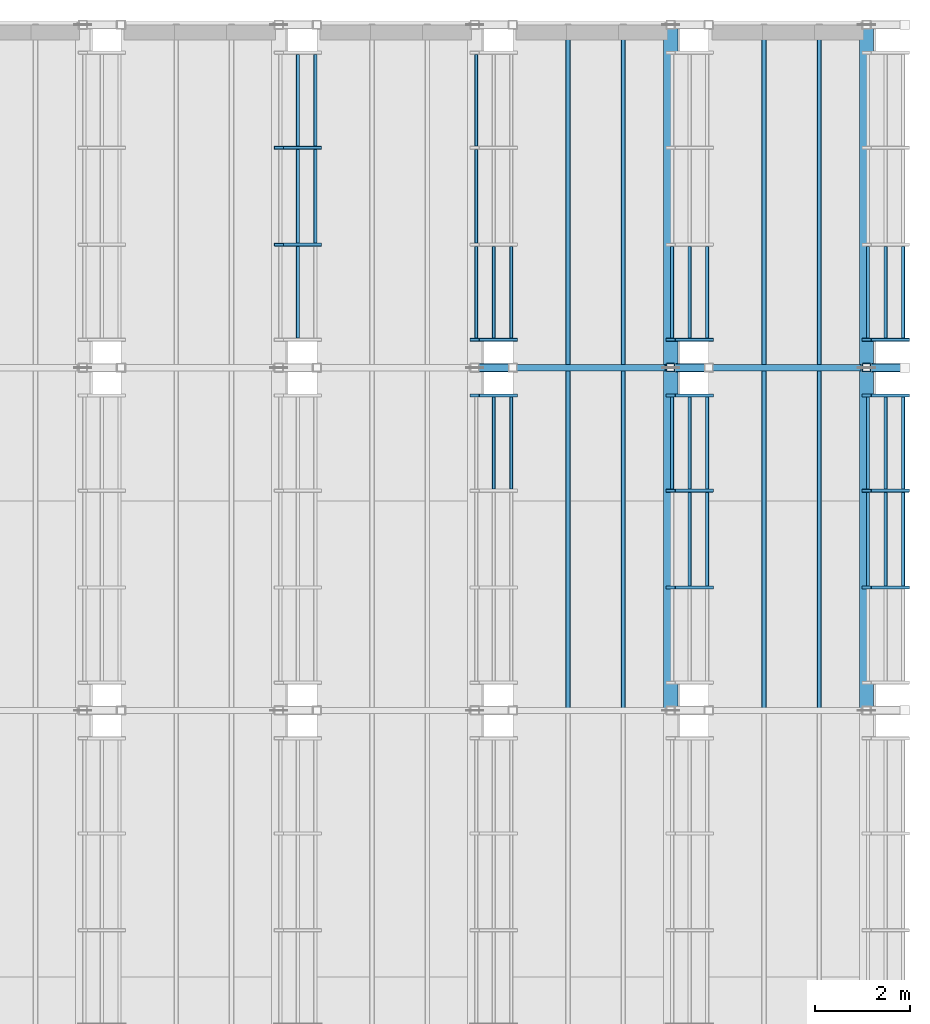
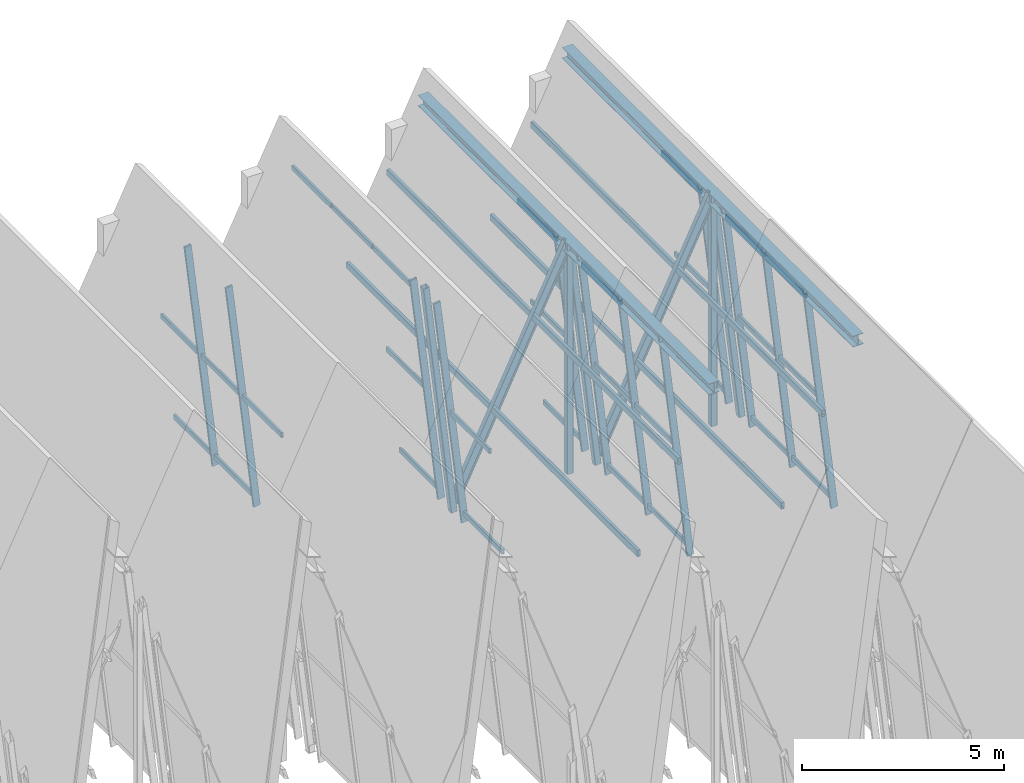
# One storey, part 9 of 28: 52 members, 2 beams, 7 elements without a shape of their own.
"""IFC4 building model written with IfcOpenShell, lengths in metres."""

from ifc_helpers import new_model, si_unit, direction, frame, origin, origin_2d, place, context, subcontext, project, spatial, hollow_rectangle, i_section, extrude, material, material_profile, profile_set, type_object, element, aggregate, save


model = new_model("IFC4")

# Units and contexts
model_context = context("Model", 3, precision=1e-05, world=origin(), true_north=direction((0.0, 1.0)))
body_context = subcontext(model_context, "Body", "Model", "MODEL_VIEW")
ifc_project = project(units=[si_unit("LENGTHUNIT", "METRE"), si_unit("AREAUNIT", "SQUARE_METRE"), si_unit("VOLUMEUNIT", "CUBIC_METRE"), si_unit("PLANEANGLEUNIT", "RADIAN"), si_unit("MASSUNIT", "GRAM", prefix="KILO")], contexts=[model_context])

# Site, building, storey
site_placement = place(None, origin())
site = spatial("IfcSite", under=ifc_project, at=site_placement, CompositionType="ELEMENT")
building_placement = place(site_placement, origin())
building = spatial("IfcBuilding", under=site, at=building_placement, Name="Bramveld Media Centre", CompositionType="ELEMENT")
storey_placement = place(building_placement, frame((0.0, 0.0, 33.89990234375)))
storey = spatial("IfcBuildingStorey", under=building, at=storey_placement, Name="ROOF", CompositionType="ELEMENT", Elevation=33.89990234375)

# Curtain wall, members
ifc_material_1 = material(Name="Thermally broken anodized bronze aluminium unitized curtain wall with solar-control triple glazing", Category="aluminium")
curtain_wall_type = type_object("IfcCurtainWallType", Name="CW-CRN-6100x6941", PredefinedType="NOTDEFINED", material=ifc_material_1)
curtain_wall_1_placement = place(storey_placement, origin())
curtain_wall_1 = element("IfcCurtainWall", 1, at=curtain_wall_1_placement, inside=storey, type_object=curtain_wall_type, Name="V7 crown clerestory B4-S4", PredefinedType="NOTDEFINED")
ifc_material_2 = material(Name="Thermally broken anodized bronze aluminium EN AW-6063 T6 curtain-wall framing", Category="aluminium")
ifc_material_profile_1 = material_profile(ifc_material_2, hollow_rectangle(XDim=0.070068359375, YDim=0.199951171875, WallThickness=0.00439453125, InnerFilletRadius=0.00439453125, OuterFilletRadius=0.009033203125, at=origin_2d()), Name="AL-MULL 70x200")
ifc_profile_set_1 = profile_set([ifc_material_profile_1], Name="Thermally broken anodized bronze aluminium EN AW-6063 T6 curtain-wall framing")
member_type_1 = type_object("IfcMemberType", Name="CW-MULL-SLP", PredefinedType="MULLION", material=ifc_profile_set_1)
member_1_placement = place(storey_placement, frame((147.656982421875, 107.38330078125, -0.02001953125), z_axis=(-0.115228868081, 0.0, 0.993338969315), x_axis=(0.0, -1.0, 0.0)))
member_1 = element("IfcMember", 2, at=member_1_placement, type_object=member_type_1, Name="CW-CR-6169 sloped mullion 2", PredefinedType="MULLION", context=body_context, shape_type="SweptSolid", body=[
    extrude(hollow_rectangle(XDim=0.070068359375, YDim=0.199951171875, WallThickness=0.00439453125, InnerFilletRadius=0.00439453125, OuterFilletRadius=0.009033203125, at=origin_2d()), origin(), (0.0, 0.0, 1.0), 6.94091796875),
])
member_2_placement = place(storey_placement, frame((147.656982421875, 109.416748046875, -0.02001953125), z_axis=(-0.115228868081, 0.0, 0.993338969315), x_axis=(0.0, -1.0, 0.0)))
member_2 = element("IfcMember", 3, at=member_2_placement, type_object=member_type_1, Name="CW-CR-6169 sloped mullion 3", PredefinedType="MULLION", context=body_context, shape_type="SweptSolid", body=[
    extrude(hollow_rectangle(XDim=0.070068359375, YDim=0.199951171875, WallThickness=0.00439453125, InnerFilletRadius=0.00439453125, OuterFilletRadius=0.009033203125, at=origin_2d()), origin(), (0.0, 0.0, 1.0), 6.94091796875),
])

# Curtain wall, member
curtain_wall_2_placement = place(storey_placement, origin())
curtain_wall_2 = element("IfcCurtainWall", 4, at=curtain_wall_2_placement, inside=storey, type_object=curtain_wall_type, Name="V7 crown clerestory B5-S3", PredefinedType="NOTDEFINED")
member_3_placement = place(storey_placement, frame((151.771484375, 104.215087890625, -0.02001953125), z_axis=(-0.115263574492, 0.0, 0.993334942703), x_axis=(0.0, -1.0, 0.0)))
member_3 = element("IfcMember", 5, at=member_3_placement, type_object=member_type_1, Name="CW-CR-6169 sloped mullion 4", PredefinedType="MULLION", context=body_context, shape_type="SweptSolid", body=[
    extrude(hollow_rectangle(XDim=0.070068359375, YDim=0.199951171875, WallThickness=0.00439453125, InnerFilletRadius=0.00439453125, OuterFilletRadius=0.009033203125, at=origin_2d()), origin(), (0.0, 0.0, 1.0), 6.94091796875),
])

curtain_wall_3_placement = place(storey_placement, origin())
curtain_wall_3 = element("IfcCurtainWall", 6, at=curtain_wall_3_placement, inside=storey, type_object=curtain_wall_type, Name="V7 crown clerestory B5-S4", PredefinedType="NOTDEFINED")
member_4_placement = place(storey_placement, frame((151.771484375, 105.385009765625, -0.02001953125), z_axis=(-0.115263574492, 0.0, 0.993334942703), x_axis=(0.0, -1.0, 0.0)))
member_4 = element("IfcMember", 7, at=member_4_placement, type_object=member_type_1, Name="CW-CR-6169 sloped mullion 1", PredefinedType="MULLION", context=body_context, shape_type="SweptSolid", body=[
    extrude(hollow_rectangle(XDim=0.070068359375, YDim=0.199951171875, WallThickness=0.00439453125, InnerFilletRadius=0.00439453125, OuterFilletRadius=0.009033203125, at=origin_2d()), origin(), (0.0, 0.0, 1.0), 6.94091796875),
])

# Curtain wall, members
curtain_wall_4_placement = place(storey_placement, origin())
curtain_wall_4 = element("IfcCurtainWall", 8, at=curtain_wall_4_placement, inside=storey, type_object=curtain_wall_type, Name="V7 crown clerestory B6-S3", PredefinedType="NOTDEFINED")
member_5_placement = place(storey_placement, frame((155.8857421875, 100.183349609375, -0.02001953125), z_axis=(-0.115263574492, 0.0, 0.993334942703), x_axis=(0.0, -1.0, 0.0)))
member_5 = element("IfcMember", 9, at=member_5_placement, type_object=member_type_1, Name="CW-CR-6169 sloped mullion 2", PredefinedType="MULLION", context=body_context, shape_type="SweptSolid", body=[
    extrude(hollow_rectangle(XDim=0.070068359375, YDim=0.199951171875, WallThickness=0.00439453125, InnerFilletRadius=0.00439453125, OuterFilletRadius=0.009033203125, at=origin_2d()), origin(), (0.0, 0.0, 1.0), 6.94091796875),
])
member_6_placement = place(storey_placement, frame((155.8857421875, 102.216796875, -0.02001953125), z_axis=(-0.115263574492, 0.0, 0.993334942703), x_axis=(0.0, -1.0, 0.0)))
member_6 = element("IfcMember", 10, at=member_6_placement, type_object=member_type_1, Name="CW-CR-6169 sloped mullion 3", PredefinedType="MULLION", context=body_context, shape_type="SweptSolid", body=[
    extrude(hollow_rectangle(XDim=0.070068359375, YDim=0.199951171875, WallThickness=0.00439453125, InnerFilletRadius=0.00439453125, OuterFilletRadius=0.009033203125, at=origin_2d()), origin(), (0.0, 0.0, 1.0), 6.94091796875),
])
member_7_placement = place(storey_placement, frame((155.8857421875, 104.215087890625, -0.02001953125), z_axis=(-0.115263574492, 0.0, 0.993334942703), x_axis=(0.0, -1.0, 0.0)))
member_7 = element("IfcMember", 11, at=member_7_placement, type_object=member_type_1, Name="CW-CR-6169 sloped mullion 4", PredefinedType="MULLION", context=body_context, shape_type="SweptSolid", body=[
    extrude(hollow_rectangle(XDim=0.070068359375, YDim=0.199951171875, WallThickness=0.00439453125, InnerFilletRadius=0.00439453125, OuterFilletRadius=0.009033203125, at=origin_2d()), origin(), (0.0, 0.0, 1.0), 6.94091796875),
])

# Curtain wall, member
curtain_wall_5_placement = place(storey_placement, origin())
curtain_wall_5 = element("IfcCurtainWall", 12, at=curtain_wall_5_placement, inside=storey, type_object=curtain_wall_type, Name="V7 crown clerestory B6-S4", PredefinedType="NOTDEFINED")
member_8_placement = place(storey_placement, frame((155.8857421875, 105.385009765625, -0.02001953125), z_axis=(-0.115263574492, 0.0, 0.993334942703), x_axis=(0.0, -1.0, 0.0)))
member_8 = element("IfcMember", 13, at=member_8_placement, type_object=member_type_1, Name="CW-CR-6169 sloped mullion 1", PredefinedType="MULLION", context=body_context, shape_type="SweptSolid", body=[
    extrude(hollow_rectangle(XDim=0.070068359375, YDim=0.199951171875, WallThickness=0.00439453125, InnerFilletRadius=0.00439453125, OuterFilletRadius=0.009033203125, at=origin_2d()), origin(), (0.0, 0.0, 1.0), 6.94091796875),
])

# Curtain wall, members
curtain_wall_6_placement = place(storey_placement, origin())
curtain_wall_6 = element("IfcCurtainWall", 14, at=curtain_wall_6_placement, inside=storey, type_object=curtain_wall_type, Name="V7 crown clerestory B7-S3", PredefinedType="NOTDEFINED")
member_9_placement = place(storey_placement, frame((160.0, 100.183349609375, -0.02001953125), z_axis=(-0.115263574492, 0.0, 0.993334942703), x_axis=(0.0, -1.0, 0.0)))
member_9 = element("IfcMember", 15, at=member_9_placement, type_object=member_type_1, Name="CW-CR-6169 sloped mullion 2", PredefinedType="MULLION", context=body_context, shape_type="SweptSolid", body=[
    extrude(hollow_rectangle(XDim=0.070068359375, YDim=0.199951171875, WallThickness=0.00439453125, InnerFilletRadius=0.00439453125, OuterFilletRadius=0.009033203125, at=origin_2d()), origin(), (0.0, 0.0, 1.0), 6.94091796875),
])
member_10_placement = place(storey_placement, frame((160.0, 102.216796875, -0.02001953125), z_axis=(-0.115263574492, 0.0, 0.993334942703), x_axis=(0.0, -1.0, 0.0)))
member_10 = element("IfcMember", 16, at=member_10_placement, type_object=member_type_1, Name="CW-CR-6169 sloped mullion 3", PredefinedType="MULLION", context=body_context, shape_type="SweptSolid", body=[
    extrude(hollow_rectangle(XDim=0.070068359375, YDim=0.199951171875, WallThickness=0.00439453125, InnerFilletRadius=0.00439453125, OuterFilletRadius=0.009033203125, at=origin_2d()), origin(), (0.0, 0.0, 1.0), 6.94091796875),
])
member_11_placement = place(storey_placement, frame((160.0, 104.215087890625, -0.02001953125), z_axis=(-0.115263574492, 0.0, 0.993334942703), x_axis=(0.0, -1.0, 0.0)))
member_11 = element("IfcMember", 17, at=member_11_placement, type_object=member_type_1, Name="CW-CR-6169 sloped mullion 4", PredefinedType="MULLION", context=body_context, shape_type="SweptSolid", body=[
    extrude(hollow_rectangle(XDim=0.070068359375, YDim=0.199951171875, WallThickness=0.00439453125, InnerFilletRadius=0.00439453125, OuterFilletRadius=0.009033203125, at=origin_2d()), origin(), (0.0, 0.0, 1.0), 6.94091796875),
])

# Curtain wall, member
curtain_wall_7_placement = place(storey_placement, origin())
curtain_wall_7 = element("IfcCurtainWall", 18, at=curtain_wall_7_placement, inside=storey, type_object=curtain_wall_type, Name="V7 crown clerestory B7-S4", PredefinedType="NOTDEFINED")
member_12_placement = place(storey_placement, frame((160.0, 105.385009765625, -0.02001953125), z_axis=(-0.115263574492, 0.0, 0.993334942703), x_axis=(0.0, -1.0, 0.0)))
member_12 = element("IfcMember", 19, at=member_12_placement, type_object=member_type_1, Name="CW-CR-6169 sloped mullion 1", PredefinedType="MULLION", context=body_context, shape_type="SweptSolid", body=[
    extrude(hollow_rectangle(XDim=0.070068359375, YDim=0.199951171875, WallThickness=0.00439453125, InnerFilletRadius=0.00439453125, OuterFilletRadius=0.009033203125, at=origin_2d()), origin(), (0.0, 0.0, 1.0), 6.94091796875),
])

# Member
ifc_material_3 = material(Name="Thermally broken anodized bronze aluminium EN AW-6063 T6 curtain-wall framing", Category="aluminium")
ifc_material_profile_2 = material_profile(ifc_material_3, hollow_rectangle(XDim=0.070068359375, YDim=0.14990234375, WallThickness=0.00390625, InnerFilletRadius=0.00390625, OuterFilletRadius=0.008056640625, at=origin_2d()), Name="AL-TRAN 70x150")
ifc_profile_set_2 = profile_set([ifc_material_profile_2], Name="Thermally broken anodized bronze aluminium EN AW-6063 T6 curtain-wall framing")
member_type_2 = type_object("IfcMemberType", Name="CW-TRAN-SLP", PredefinedType="USERDEFINED", material=ifc_profile_set_2)
member_13_placement = place(storey_placement, frame((147.257080078125, 105.419921875, 3.427490234375), z_axis=(0.0, 1.0, 0.0), x_axis=(-1.0, 0.0, 0.0)))
member_13 = element("IfcMember", 20, at=member_13_placement, type_object=member_type_2, Name="CW-CR-6169 transom 1.2", ObjectType="TRANSOM", PredefinedType="USERDEFINED", context=body_context, shape_type="SweptSolid", body=[
    extrude(hollow_rectangle(XDim=0.070068359375, YDim=0.14990234375, WallThickness=0.00390625, InnerFilletRadius=0.00390625, OuterFilletRadius=0.008056640625, at=origin_2d()), origin(), (0.0, 0.0, 1.0), 1.928466796875),
])

member_14_placement = place(storey_placement, frame((147.625, 107.418212890625, 0.255859375), z_axis=(0.0, 1.0, 0.0), x_axis=(-1.0, 0.0, 0.0)))
member_14 = element("IfcMember", 21, at=member_14_placement, type_object=member_type_2, Name="CW-CR-6169 transom 2.1", ObjectType="TRANSOM", PredefinedType="USERDEFINED", context=body_context, shape_type="SweptSolid", body=[
    extrude(hollow_rectangle(XDim=0.070068359375, YDim=0.14990234375, WallThickness=0.00390625, InnerFilletRadius=0.00390625, OuterFilletRadius=0.008056640625, at=origin_2d()), origin(), (0.0, 0.0, 1.0), 1.96337890625),
])

member_15_placement = place(storey_placement, frame((147.257080078125, 107.418212890625, 3.427490234375), z_axis=(0.0, 1.0, 0.0), x_axis=(-1.0, 0.0, 0.0)))
member_15 = element("IfcMember", 22, at=member_15_placement, type_object=member_type_2, Name="CW-CR-6169 transom 2.2", ObjectType="TRANSOM", PredefinedType="USERDEFINED", context=body_context, shape_type="SweptSolid", body=[
    extrude(hollow_rectangle(XDim=0.070068359375, YDim=0.14990234375, WallThickness=0.00390625, InnerFilletRadius=0.00390625, OuterFilletRadius=0.008056640625, at=origin_2d()), origin(), (0.0, 0.0, 1.0), 1.96337890625),
])

member_16_placement = place(storey_placement, frame((147.625, 109.45166015625, 0.255859375), z_axis=(0.0, 1.0, 0.0), x_axis=(-1.0, 0.0, 0.0)))
member_16 = element("IfcMember", 23, at=member_16_placement, type_object=member_type_2, Name="CW-CR-6169 transom 3.1", ObjectType="TRANSOM", PredefinedType="USERDEFINED", context=body_context, shape_type="SweptSolid", body=[
    extrude(hollow_rectangle(XDim=0.070068359375, YDim=0.14990234375, WallThickness=0.00390625, InnerFilletRadius=0.00390625, OuterFilletRadius=0.008056640625, at=origin_2d()), origin(), (0.0, 0.0, 1.0), 1.92822265625),
])

member_17_placement = place(storey_placement, frame((147.257080078125, 109.45166015625, 3.427490234375), z_axis=(0.0, 1.0, 0.0), x_axis=(-1.0, 0.0, 0.0)))
member_17 = element("IfcMember", 24, at=member_17_placement, type_object=member_type_2, Name="CW-CR-6169 transom 3.2", ObjectType="TRANSOM", PredefinedType="USERDEFINED", context=body_context, shape_type="SweptSolid", body=[
    extrude(hollow_rectangle(XDim=0.070068359375, YDim=0.14990234375, WallThickness=0.00390625, InnerFilletRadius=0.00390625, OuterFilletRadius=0.008056640625, at=origin_2d()), origin(), (0.0, 0.0, 1.0), 1.92822265625),
])

aggregate(curtain_wall_1, [member_1, member_2, member_13, member_14, member_15, member_16, member_17])

member_18_placement = place(storey_placement, frame((151.739501953125, 102.251708984375, 0.255859375), z_axis=(0.0, 1.0, 0.0), x_axis=(-1.0, 0.0, 0.0)))
member_18 = element("IfcMember", 25, at=member_18_placement, type_object=member_type_2, Name="CW-CR-6169 transom 3.1", ObjectType="TRANSOM", PredefinedType="USERDEFINED", context=body_context, shape_type="SweptSolid", body=[
    extrude(hollow_rectangle(XDim=0.070068359375, YDim=0.14990234375, WallThickness=0.00390625, InnerFilletRadius=0.00390625, OuterFilletRadius=0.008056640625, at=origin_2d()), origin(), (0.0, 0.0, 1.0), 1.92822265625),
])

member_19_placement = place(storey_placement, frame((151.371337890625, 102.251708984375, 3.427490234375), z_axis=(0.0, 1.0, 0.0), x_axis=(-1.0, 0.0, 0.0)))
member_19 = element("IfcMember", 26, at=member_19_placement, type_object=member_type_2, Name="CW-CR-6169 transom 3.2", ObjectType="TRANSOM", PredefinedType="USERDEFINED", context=body_context, shape_type="SweptSolid", body=[
    extrude(hollow_rectangle(XDim=0.070068359375, YDim=0.14990234375, WallThickness=0.00390625, InnerFilletRadius=0.00390625, OuterFilletRadius=0.008056640625, at=origin_2d()), origin(), (0.0, 0.0, 1.0), 1.92822265625),
])

aggregate(curtain_wall_2, [member_3, member_18, member_19])

member_20_placement = place(storey_placement, frame((151.739501953125, 105.419921875, 0.255859375), z_axis=(0.0, 1.0, 0.0), x_axis=(-1.0, 0.0, 0.0)))
member_20 = element("IfcMember", 27, at=member_20_placement, type_object=member_type_2, Name="CW-CR-6169 transom 1.1", ObjectType="TRANSOM", PredefinedType="USERDEFINED", context=body_context, shape_type="SweptSolid", body=[
    extrude(hollow_rectangle(XDim=0.070068359375, YDim=0.14990234375, WallThickness=0.00390625, InnerFilletRadius=0.00390625, OuterFilletRadius=0.008056640625, at=origin_2d()), origin(), (0.0, 0.0, 1.0), 1.928466796875),
])

member_21_placement = place(storey_placement, frame((151.371337890625, 105.419921875, 3.427490234375), z_axis=(0.0, 1.0, 0.0), x_axis=(-1.0, 0.0, 0.0)))
member_21 = element("IfcMember", 28, at=member_21_placement, type_object=member_type_2, Name="CW-CR-6169 transom 1.2", ObjectType="TRANSOM", PredefinedType="USERDEFINED", context=body_context, shape_type="SweptSolid", body=[
    extrude(hollow_rectangle(XDim=0.070068359375, YDim=0.14990234375, WallThickness=0.00390625, InnerFilletRadius=0.00390625, OuterFilletRadius=0.008056640625, at=origin_2d()), origin(), (0.0, 0.0, 1.0), 1.928466796875),
])

member_22_placement = place(storey_placement, frame((151.00341796875, 105.419921875, 6.598876953125), z_axis=(0.0, 1.0, 0.0), x_axis=(-1.0, 0.0, 0.0)))
member_22 = element("IfcMember", 29, at=member_22_placement, type_object=member_type_2, Name="CW-CR-6169 transom 1.3", ObjectType="TRANSOM", PredefinedType="USERDEFINED", context=body_context, shape_type="SweptSolid", body=[
    extrude(hollow_rectangle(XDim=0.070068359375, YDim=0.14990234375, WallThickness=0.00390625, InnerFilletRadius=0.00390625, OuterFilletRadius=0.008056640625, at=origin_2d()), origin(), (0.0, 0.0, 1.0), 1.928466796875),
])

member_23_placement = place(storey_placement, frame((151.00341796875, 107.418212890625, 6.598876953125), z_axis=(0.0, 1.0, 0.0), x_axis=(-1.0, 0.0, 0.0)))
member_23 = element("IfcMember", 30, at=member_23_placement, type_object=member_type_2, Name="CW-CR-6169 transom 2.3", ObjectType="TRANSOM", PredefinedType="USERDEFINED", context=body_context, shape_type="SweptSolid", body=[
    extrude(hollow_rectangle(XDim=0.070068359375, YDim=0.14990234375, WallThickness=0.00390625, InnerFilletRadius=0.00390625, OuterFilletRadius=0.008056640625, at=origin_2d()), origin(), (0.0, 0.0, 1.0), 1.96337890625),
])

member_24_placement = place(storey_placement, frame((151.00341796875, 109.45166015625, 6.598876953125), z_axis=(0.0, 1.0, 0.0), x_axis=(-1.0, 0.0, 0.0)))
member_24 = element("IfcMember", 31, at=member_24_placement, type_object=member_type_2, Name="CW-CR-6169 transom 3.3", ObjectType="TRANSOM", PredefinedType="USERDEFINED", context=body_context, shape_type="SweptSolid", body=[
    extrude(hollow_rectangle(XDim=0.070068359375, YDim=0.14990234375, WallThickness=0.00390625, InnerFilletRadius=0.00390625, OuterFilletRadius=0.008056640625, at=origin_2d()), origin(), (0.0, 0.0, 1.0), 1.92822265625),
])

aggregate(curtain_wall_3, [member_4, member_20, member_21, member_22, member_23, member_24])

member_25_placement = place(storey_placement, frame((155.853759765625, 100.21826171875, 0.255859375), z_axis=(0.0, 1.0, 0.0), x_axis=(-1.0, 0.0, 0.0)))
member_25 = element("IfcMember", 32, at=member_25_placement, type_object=member_type_2, Name="CW-CR-6169 transom 2.1", ObjectType="TRANSOM", PredefinedType="USERDEFINED", context=body_context, shape_type="SweptSolid", body=[
    extrude(hollow_rectangle(XDim=0.070068359375, YDim=0.14990234375, WallThickness=0.00390625, InnerFilletRadius=0.00390625, OuterFilletRadius=0.008056640625, at=origin_2d()), origin(), (0.0, 0.0, 1.0), 1.96337890625),
])

member_26_placement = place(storey_placement, frame((155.485595703125, 100.21826171875, 3.427490234375), z_axis=(0.0, 1.0, 0.0), x_axis=(-1.0, 0.0, 0.0)))
member_26 = element("IfcMember", 33, at=member_26_placement, type_object=member_type_2, Name="CW-CR-6169 transom 2.2", ObjectType="TRANSOM", PredefinedType="USERDEFINED", context=body_context, shape_type="SweptSolid", body=[
    extrude(hollow_rectangle(XDim=0.070068359375, YDim=0.14990234375, WallThickness=0.00390625, InnerFilletRadius=0.00390625, OuterFilletRadius=0.008056640625, at=origin_2d()), origin(), (0.0, 0.0, 1.0), 1.96337890625),
])

member_27_placement = place(storey_placement, frame((155.853759765625, 102.251708984375, 0.255859375), z_axis=(0.0, 1.0, 0.0), x_axis=(-1.0, 0.0, 0.0)))
member_27 = element("IfcMember", 34, at=member_27_placement, type_object=member_type_2, Name="CW-CR-6169 transom 3.1", ObjectType="TRANSOM", PredefinedType="USERDEFINED", context=body_context, shape_type="SweptSolid", body=[
    extrude(hollow_rectangle(XDim=0.070068359375, YDim=0.14990234375, WallThickness=0.00390625, InnerFilletRadius=0.00390625, OuterFilletRadius=0.008056640625, at=origin_2d()), origin(), (0.0, 0.0, 1.0), 1.92822265625),
])

member_28_placement = place(storey_placement, frame((155.485595703125, 102.251708984375, 3.427490234375), z_axis=(0.0, 1.0, 0.0), x_axis=(-1.0, 0.0, 0.0)))
member_28 = element("IfcMember", 35, at=member_28_placement, type_object=member_type_2, Name="CW-CR-6169 transom 3.2", ObjectType="TRANSOM", PredefinedType="USERDEFINED", context=body_context, shape_type="SweptSolid", body=[
    extrude(hollow_rectangle(XDim=0.070068359375, YDim=0.14990234375, WallThickness=0.00390625, InnerFilletRadius=0.00390625, OuterFilletRadius=0.008056640625, at=origin_2d()), origin(), (0.0, 0.0, 1.0), 1.92822265625),
])

member_29_placement = place(storey_placement, frame((155.11767578125, 102.251708984375, 6.598876953125), z_axis=(0.0, 1.0, 0.0), x_axis=(-1.0, 0.0, 0.0)))
member_29 = element("IfcMember", 36, at=member_29_placement, type_object=member_type_2, Name="CW-CR-6169 transom 3.3", ObjectType="TRANSOM", PredefinedType="USERDEFINED", context=body_context, shape_type="SweptSolid", body=[
    extrude(hollow_rectangle(XDim=0.070068359375, YDim=0.14990234375, WallThickness=0.00390625, InnerFilletRadius=0.00390625, OuterFilletRadius=0.008056640625, at=origin_2d()), origin(), (0.0, 0.0, 1.0), 1.92822265625),
])

aggregate(curtain_wall_4, [member_5, member_6, member_7, member_25, member_26, member_27, member_28, member_29])

member_30_placement = place(storey_placement, frame((155.853759765625, 105.419921875, 0.255859375), z_axis=(0.0, 1.0, 0.0), x_axis=(-1.0, 0.0, 0.0)))
member_30 = element("IfcMember", 37, at=member_30_placement, type_object=member_type_2, Name="CW-CR-6169 transom 1.1", ObjectType="TRANSOM", PredefinedType="USERDEFINED", context=body_context, shape_type="SweptSolid", body=[
    extrude(hollow_rectangle(XDim=0.070068359375, YDim=0.14990234375, WallThickness=0.00390625, InnerFilletRadius=0.00390625, OuterFilletRadius=0.008056640625, at=origin_2d()), origin(), (0.0, 0.0, 1.0), 1.928466796875),
])

member_31_placement = place(storey_placement, frame((155.485595703125, 105.419921875, 3.427490234375), z_axis=(0.0, 1.0, 0.0), x_axis=(-1.0, 0.0, 0.0)))
member_31 = element("IfcMember", 38, at=member_31_placement, type_object=member_type_2, Name="CW-CR-6169 transom 1.2", ObjectType="TRANSOM", PredefinedType="USERDEFINED", context=body_context, shape_type="SweptSolid", body=[
    extrude(hollow_rectangle(XDim=0.070068359375, YDim=0.14990234375, WallThickness=0.00390625, InnerFilletRadius=0.00390625, OuterFilletRadius=0.008056640625, at=origin_2d()), origin(), (0.0, 0.0, 1.0), 1.928466796875),
])

member_32_placement = place(storey_placement, frame((155.11767578125, 105.419921875, 6.598876953125), z_axis=(0.0, 1.0, 0.0), x_axis=(-1.0, 0.0, 0.0)))
member_32 = element("IfcMember", 39, at=member_32_placement, type_object=member_type_2, Name="CW-CR-6169 transom 1.3", ObjectType="TRANSOM", PredefinedType="USERDEFINED", context=body_context, shape_type="SweptSolid", body=[
    extrude(hollow_rectangle(XDim=0.070068359375, YDim=0.14990234375, WallThickness=0.00390625, InnerFilletRadius=0.00390625, OuterFilletRadius=0.008056640625, at=origin_2d()), origin(), (0.0, 0.0, 1.0), 1.928466796875),
])

aggregate(curtain_wall_5, [member_8, member_30, member_31, member_32])

member_33_placement = place(storey_placement, frame((159.968017578125, 100.21826171875, 0.255859375), z_axis=(0.0, 1.0, 0.0), x_axis=(-1.0, 0.0, 0.0)))
member_33 = element("IfcMember", 40, at=member_33_placement, type_object=member_type_2, Name="CW-CR-6169 transom 2.1", ObjectType="TRANSOM", PredefinedType="USERDEFINED", context=body_context, shape_type="SweptSolid", body=[
    extrude(hollow_rectangle(XDim=0.070068359375, YDim=0.14990234375, WallThickness=0.00390625, InnerFilletRadius=0.00390625, OuterFilletRadius=0.008056640625, at=origin_2d()), origin(), (0.0, 0.0, 1.0), 1.96337890625),
])

member_34_placement = place(storey_placement, frame((159.60009765625, 100.21826171875, 3.427490234375), z_axis=(0.0, 1.0, 0.0), x_axis=(-1.0, 0.0, 0.0)))
member_34 = element("IfcMember", 41, at=member_34_placement, type_object=member_type_2, Name="CW-CR-6169 transom 2.2", ObjectType="TRANSOM", PredefinedType="USERDEFINED", context=body_context, shape_type="SweptSolid", body=[
    extrude(hollow_rectangle(XDim=0.070068359375, YDim=0.14990234375, WallThickness=0.00390625, InnerFilletRadius=0.00390625, OuterFilletRadius=0.008056640625, at=origin_2d()), origin(), (0.0, 0.0, 1.0), 1.96337890625),
])

member_35_placement = place(storey_placement, frame((159.23193359375, 100.21826171875, 6.598876953125), z_axis=(0.0, 1.0, 0.0), x_axis=(-1.0, 0.0, 0.0)))
member_35 = element("IfcMember", 42, at=member_35_placement, type_object=member_type_2, Name="CW-CR-6169 transom 2.3", ObjectType="TRANSOM", PredefinedType="USERDEFINED", context=body_context, shape_type="SweptSolid", body=[
    extrude(hollow_rectangle(XDim=0.070068359375, YDim=0.14990234375, WallThickness=0.00390625, InnerFilletRadius=0.00390625, OuterFilletRadius=0.008056640625, at=origin_2d()), origin(), (0.0, 0.0, 1.0), 1.96337890625),
])

member_36_placement = place(storey_placement, frame((159.968017578125, 102.251708984375, 0.255859375), z_axis=(0.0, 1.0, 0.0), x_axis=(-1.0, 0.0, 0.0)))
member_36 = element("IfcMember", 43, at=member_36_placement, type_object=member_type_2, Name="CW-CR-6169 transom 3.1", ObjectType="TRANSOM", PredefinedType="USERDEFINED", context=body_context, shape_type="SweptSolid", body=[
    extrude(hollow_rectangle(XDim=0.070068359375, YDim=0.14990234375, WallThickness=0.00390625, InnerFilletRadius=0.00390625, OuterFilletRadius=0.008056640625, at=origin_2d()), origin(), (0.0, 0.0, 1.0), 1.92822265625),
])

member_37_placement = place(storey_placement, frame((159.60009765625, 102.251708984375, 3.427490234375), z_axis=(0.0, 1.0, 0.0), x_axis=(-1.0, 0.0, 0.0)))
member_37 = element("IfcMember", 44, at=member_37_placement, type_object=member_type_2, Name="CW-CR-6169 transom 3.2", ObjectType="TRANSOM", PredefinedType="USERDEFINED", context=body_context, shape_type="SweptSolid", body=[
    extrude(hollow_rectangle(XDim=0.070068359375, YDim=0.14990234375, WallThickness=0.00390625, InnerFilletRadius=0.00390625, OuterFilletRadius=0.008056640625, at=origin_2d()), origin(), (0.0, 0.0, 1.0), 1.92822265625),
])

member_38_placement = place(storey_placement, frame((159.23193359375, 102.251708984375, 6.598876953125), z_axis=(0.0, 1.0, 0.0), x_axis=(-1.0, 0.0, 0.0)))
member_38 = element("IfcMember", 45, at=member_38_placement, type_object=member_type_2, Name="CW-CR-6169 transom 3.3", ObjectType="TRANSOM", PredefinedType="USERDEFINED", context=body_context, shape_type="SweptSolid", body=[
    extrude(hollow_rectangle(XDim=0.070068359375, YDim=0.14990234375, WallThickness=0.00390625, InnerFilletRadius=0.00390625, OuterFilletRadius=0.008056640625, at=origin_2d()), origin(), (0.0, 0.0, 1.0), 1.92822265625),
])

aggregate(curtain_wall_6, [member_9, member_10, member_11, member_33, member_34, member_35, member_36, member_37, member_38])

member_39_placement = place(storey_placement, frame((159.968017578125, 105.419921875, 0.255859375), z_axis=(0.0, 1.0, 0.0), x_axis=(-1.0, 0.0, 0.0)))
member_39 = element("IfcMember", 46, at=member_39_placement, type_object=member_type_2, Name="CW-CR-6169 transom 1.1", ObjectType="TRANSOM", PredefinedType="USERDEFINED", context=body_context, shape_type="SweptSolid", body=[
    extrude(hollow_rectangle(XDim=0.070068359375, YDim=0.14990234375, WallThickness=0.00390625, InnerFilletRadius=0.00390625, OuterFilletRadius=0.008056640625, at=origin_2d()), origin(), (0.0, 0.0, 1.0), 1.928466796875),
])

member_40_placement = place(storey_placement, frame((159.60009765625, 105.419921875, 3.427490234375), z_axis=(0.0, 1.0, 0.0), x_axis=(-1.0, 0.0, 0.0)))
member_40 = element("IfcMember", 47, at=member_40_placement, type_object=member_type_2, Name="CW-CR-6169 transom 1.2", ObjectType="TRANSOM", PredefinedType="USERDEFINED", context=body_context, shape_type="SweptSolid", body=[
    extrude(hollow_rectangle(XDim=0.070068359375, YDim=0.14990234375, WallThickness=0.00390625, InnerFilletRadius=0.00390625, OuterFilletRadius=0.008056640625, at=origin_2d()), origin(), (0.0, 0.0, 1.0), 1.928466796875),
])

member_41_placement = place(storey_placement, frame((159.23193359375, 105.419921875, 6.598876953125), z_axis=(0.0, 1.0, 0.0), x_axis=(-1.0, 0.0, 0.0)))
member_41 = element("IfcMember", 48, at=member_41_placement, type_object=member_type_2, Name="CW-CR-6169 transom 1.3", ObjectType="TRANSOM", PredefinedType="USERDEFINED", context=body_context, shape_type="SweptSolid", body=[
    extrude(hollow_rectangle(XDim=0.070068359375, YDim=0.14990234375, WallThickness=0.00390625, InnerFilletRadius=0.00390625, OuterFilletRadius=0.008056640625, at=origin_2d()), origin(), (0.0, 0.0, 1.0), 1.928466796875),
])

aggregate(curtain_wall_7, [member_12, member_39, member_40, member_41])

# Members
ifc_material_4 = material(Name="Steel S355J2H", Category="steel")
ifc_material_profile_3 = material_profile(ifc_material_4, hollow_rectangle(XDim=0.179931640625, YDim=0.179931640625, WallThickness=0.010009765625, InnerFilletRadius=0.010009765625, OuterFilletRadius=0.02001953125, at=origin_2d()), Name="SHS 180x180x10")
ifc_profile_set_3 = profile_set([ifc_material_profile_3], Name="Steel S355J2H")
member_type_3 = type_object("IfcMemberType", Name="MEM-POST-SHS180", PredefinedType="POST", material=ifc_profile_set_3)
for number, where, z_axis, x_axis, name in (
    (49, (155.085693359375, 104.800048828125, -0.0498046875), (0.0, 0.0, 1.0), (1.0, 0.0, 0.0), "CRN-FR-B06-F4 gable kingpost"),
    (50, (159.199951171875, 104.800048828125, -0.0498046875), (0.0, 0.0, 1.0), (1.0, 0.0, 0.0), "CRN-FR-B07-F4 gable kingpost"),
):
    element("IfcMember", number, at=place(storey_placement, frame(where, z_axis=z_axis, x_axis=x_axis)), inside=storey, type_object=member_type_3, Name=name, PredefinedType="POST", context=body_context, shape_type="SweptSolid", body=[
        extrude(hollow_rectangle(XDim=0.179931640625, YDim=0.179931640625, WallThickness=0.010009765625, InnerFilletRadius=0.010009765625, OuterFilletRadius=0.02001953125, at=origin_2d()), origin(), (0.0, 0.0, 1.0), 7.044677734375),
    ])
ifc_material_5 = material(Name="Steel S355J2H", Category="steel")
ifc_material_profile_4 = material_profile(ifc_material_5, hollow_rectangle(XDim=0.10009765625, YDim=0.199951171875, WallThickness=0.008056640625, InnerFilletRadius=0.008056640625, OuterFilletRadius=0.01611328125, at=origin_2d()), Name="RHS 200x100x8")
ifc_profile_set_4 = profile_set([ifc_material_profile_4], Name="Steel S355J2H")
member_type_4 = type_object("IfcMemberType", Name="MEM-PURLIN-RHS200", PredefinedType="PURLIN", material=ifc_profile_set_4)
for number, where, z_axis, x_axis, name in (
    (51, (152.931396484375, 97.60009765625, 2.61083984375), (0.0, 1.0, 0.0), (-1.0, 0.0, 0.0), "V7 crown gable purlin"),
    (52, (154.09130859375, 97.60009765625, 4.997802734375), (0.0, 1.0, 0.0), (-1.0, 0.0, 0.0), "V7 crown gable purlin"),
    (53, (157.045654296875, 97.60009765625, 2.61083984375), (0.0, 1.0, 0.0), (-1.0, 0.0, 0.0), "V7 crown gable purlin"),
    (54, (158.205810546875, 97.60009765625, 4.997802734375), (0.0, 1.0, 0.0), (-1.0, 0.0, 0.0), "V7 crown gable purlin"),
):
    element("IfcMember", number, at=place(storey_placement, frame(where, z_axis=z_axis, x_axis=x_axis)), inside=storey, type_object=member_type_4, Name=name, PredefinedType="PURLIN", context=body_context, shape_type="SweptSolid", body=[
        extrude(hollow_rectangle(XDim=0.10009765625, YDim=0.199951171875, WallThickness=0.008056640625, InnerFilletRadius=0.008056640625, OuterFilletRadius=0.01611328125, at=origin_2d()), origin(), (0.0, 0.0, 1.0), 14.39990234375),
    ])
ifc_material_6 = material(Name="Steel S355J2", Category="steel")
ifc_material_profile_5 = material_profile(ifc_material_6, i_section(OverallWidth=0.135009765625, OverallDepth=0.27001953125, WebThickness=0.006591796875, FlangeThickness=0.01025390625, FilletRadius=0.014892578125, at=origin_2d()), Name="IPE 270")
ifc_profile_set_5 = profile_set([ifc_material_profile_5], Name="Steel S355J2")
member_type_5 = type_object("IfcMemberType", Name="MEM-RAFTER-IPE270", PredefinedType="RAFTER", material=ifc_profile_set_5)
for number, where, z_axis, x_axis, name in (
    (55, (151.771484375, 104.800048828125, 0.1748046875), (0.437075147934, 0.0, 0.899424991347), (0.0, 1.0, 0.0), "CRN-FR-B06-F4 gable rafter"),
    (56, (155.8857421875, 104.800048828125, 0.1748046875), (0.437075147934, 0.0, 0.899424991347), (0.0, 1.0, 0.0), "CRN-FR-B07-F4 gable rafter"),
):
    element("IfcMember", number, at=place(storey_placement, frame(where, z_axis=z_axis, x_axis=x_axis)), inside=storey, type_object=member_type_5, Name=name, PredefinedType="RAFTER", context=body_context, shape_type="SweptSolid", body=[
        extrude(i_section(OverallWidth=0.135009765625, OverallDepth=0.27001953125, WebThickness=0.006591796875, FlangeThickness=0.01025390625, FilletRadius=0.014892578125, at=origin_2d()), origin(), (0.0, 0.0, 1.0), 7.582763671875),
    ])
ifc_material_7 = material(Name="Steel S355J2H", Category="steel")
ifc_material_profile_6 = material_profile(ifc_material_7, hollow_rectangle(XDim=0.179931640625, YDim=0.179931640625, WallThickness=0.010009765625, InnerFilletRadius=0.010009765625, OuterFilletRadius=0.02001953125, at=origin_2d()), Name="SHS 180x180x10")
ifc_profile_set_6 = profile_set([ifc_material_profile_6], Name="Steel S355J2H")
member_type_6 = type_object("IfcMemberType", Name="MEM-STRUT-SHS180", PredefinedType="STRUT", material=ifc_profile_set_6)
for number, where, z_axis, x_axis, name in (
    (57, (151.771484375, 104.800048828125, -0.0498046875), (-0.112842469029, 0.0, 0.993612891011), (0.0, -1.0, 0.0), "CRN-FR-B05-F4 gable strut"),
    (58, (155.8857421875, 104.800048828125, -0.0498046875), (-0.112842469029, 0.0, 0.993612891011), (0.0, -1.0, 0.0), "CRN-FR-B06-F4 gable strut"),
    (59, (160.0, 104.800048828125, -0.0498046875), (-0.112842469029, 0.0, 0.993612891011), (0.0, -1.0, 0.0), "CRN-FR-B07-F4 gable strut"),
):
    element("IfcMember", number, at=place(storey_placement, frame(where, z_axis=z_axis, x_axis=x_axis)), inside=storey, type_object=member_type_6, Name=name, PredefinedType="STRUT", context=body_context, shape_type="SweptSolid", body=[
        extrude(hollow_rectangle(XDim=0.179931640625, YDim=0.179931640625, WallThickness=0.010009765625, InnerFilletRadius=0.010009765625, OuterFilletRadius=0.02001953125, at=origin_2d()), origin(), (0.0, 0.0, 1.0), 7.08984375),
    ])

# Beams
ifc_material_8 = material(Name="Steel S355J2", Category="steel")
ifc_material_profile_7 = material_profile(ifc_material_8, i_section(OverallWidth=0.300048828125, OverallDepth=0.330078125, WebThickness=0.009521484375, FlangeThickness=0.0166015625, FilletRadius=0.027099609375, at=origin_2d()), Name="HEA 340")
ifc_profile_set_7 = profile_set([ifc_material_profile_7], Name="Steel S355J2")
beam_type = type_object("IfcBeamType", Name="SBM-INT-HEA-340", PredefinedType="BEAM", material=ifc_profile_set_7)
for number, where, z_axis, x_axis, name in (
    (60, (155.085693359375, 97.60009765625, 6.85986328125), (0.0, 1.0, 0.0), (-1.0, 0.0, 0.0), "V7 crown ridge tie beam"),
    (61, (159.199951171875, 97.60009765625, 6.85986328125), (0.0, 1.0, 0.0), (-1.0, 0.0, 0.0), "V7 crown ridge tie beam"),
):
    element("IfcBeam", number, at=place(storey_placement, frame(where, z_axis=z_axis, x_axis=x_axis)), inside=storey, type_object=beam_type, Name=name, PredefinedType="BEAM", context=body_context, shape_type="SweptSolid", body=[
        extrude(i_section(OverallWidth=0.300048828125, OverallDepth=0.330078125, WebThickness=0.009521484375, FlangeThickness=0.0166015625, FilletRadius=0.027099609375, at=origin_2d()), origin(), (0.0, 0.0, 1.0), 14.39990234375),
    ])

save(model, "model.ifc")
